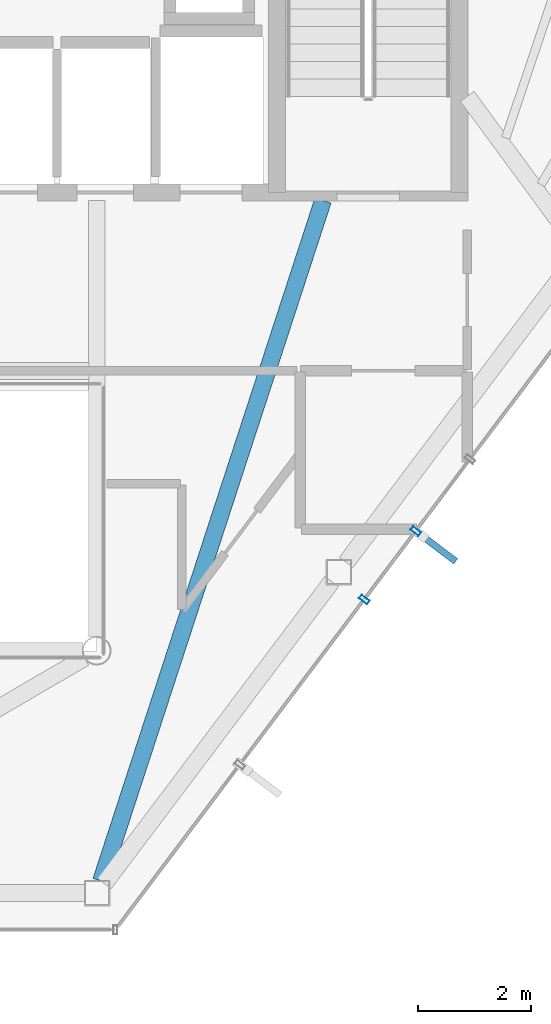
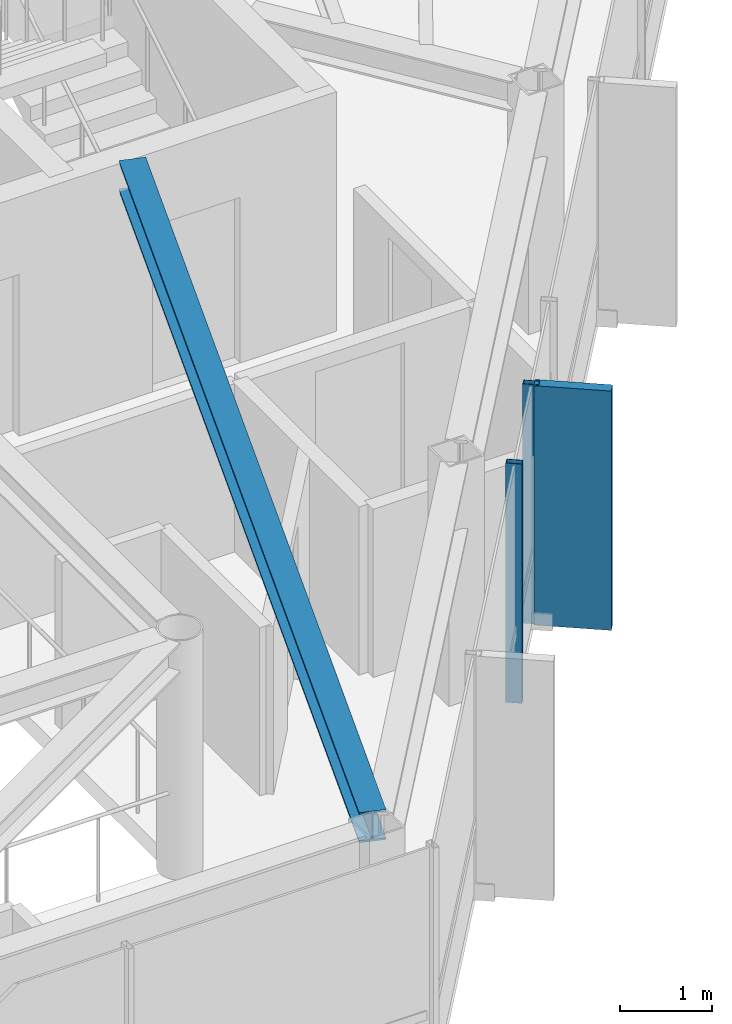
# One storey, part 8 of 22: 3 members, 1 beam, 1 element without a shape of its own.
"""IFC4 building model written with IfcOpenShell, lengths in metres."""

from ifc_helpers import new_model, si_unit, direction, frame, origin, origin_2d, place, context, subcontext, project, spatial, rectangle, hollow_rectangle, i_section, extrude, material, layer, layer_set, material_profile, profile_set, type_object, element, aggregate, save


model = new_model("IFC4")

# Units and contexts
model_context = context("Model", 3, precision=1e-05, world=origin(), true_north=direction((0.0, 1.0)))
body_context = subcontext(model_context, "Body", "Model", "MODEL_VIEW")
ifc_project = project(units=[si_unit("LENGTHUNIT", "METRE"), si_unit("AREAUNIT", "SQUARE_METRE"), si_unit("VOLUMEUNIT", "CUBIC_METRE"), si_unit("PLANEANGLEUNIT", "RADIAN"), si_unit("MASSUNIT", "GRAM", prefix="KILO")], contexts=[model_context])

# Site, building, storey
site_placement = place(None, origin())
site = spatial("IfcSite", under=ifc_project, at=site_placement, CompositionType="ELEMENT")
building_placement = place(site_placement, origin())
building = spatial("IfcBuilding", under=site, at=building_placement, Name="Zarrinselat Tower", CompositionType="ELEMENT")
storey_placement = place(building_placement, frame((0.0, 0.0, 292.39990234375)))
storey = spatial("IfcBuildingStorey", under=building, at=storey_placement, Name="L75", CompositionType="ELEMENT", Elevation=292.39990234375)

# Beam
ifc_material_1 = material(Name="Steel S355J2", Category="steel")
ifc_material_profile_1 = material_profile(ifc_material_1, i_section(OverallWidth=0.300048828125, OverallDepth=0.39990234375, WebThickness=0.013427734375, FlangeThickness=0.02392578125, at=origin_2d()), Name="HEB 400")
ifc_profile_set_1 = profile_set([ifc_material_profile_1], Name="Steel S355J2")
beam_type = type_object("IfcBeamType", Name="BM-HEB400", PredefinedType="BEAM", material=ifc_profile_set_1)
beam_placement = place(storey_placement, frame((41.8759765625, 21.1298828125, 2.97998046875), z_axis=(0.310108932854, 0.950701030695, 0.0), x_axis=(-0.950701030695, 0.310108932854, 0.0)))
element("IfcBeam", 1, at=beam_placement, inside=storey, type_object=beam_type, Name="L75 Radial Primary Girder RG11", PredefinedType="BEAM", context=body_context, shape_type="SweptSolid", body=[
    extrude(i_section(OverallWidth=0.300048828125, OverallDepth=0.39990234375, WebThickness=0.013427734375, FlangeThickness=0.02392578125, at=origin_2d()), origin(), (0.0, 0.0, 1.0), 12.65380859375),
])

# Curtain wall, members
ifc_material_2 = material(Name="Extruded Aluminium Alloy EN AW-6063 T6", Category="aluminium")
ifc_layer = layer(ifc_material_2, 0.199951171875)
ifc_layer_set = layer_set([ifc_layer], Name="Extruded Aluminium Alloy EN AW-6063 T6")
curtain_wall_type = type_object("IfcCurtainWallType", Name="CWS-BLADE", PredefinedType="NOTDEFINED", material=ifc_layer_set)
curtain_wall_placement = place(storey_placement, origin())
curtain_wall = element("IfcCurtainWall", 2, at=curtain_wall_placement, inside=storey, type_object=curtain_wall_type, Name="L75 Unitised Curtain Wall CW-L75-E05", PredefinedType="NOTDEFINED")
ifc_material_3 = material(Name="Extruded Aluminium Alloy EN AW-6063 T6", Category="aluminium")
ifc_material_profile_2 = material_profile(ifc_material_3, hollow_rectangle(XDim=0.080078125, YDim=0.179931640625, WallThickness=0.0048828125, at=origin_2d()), Name="RHS 180x80x5")
ifc_profile_set_2 = profile_set([ifc_material_profile_2], Name="Extruded Aluminium Alloy EN AW-6063 T6")
member_type_1 = type_object("IfcMemberType", Name="MEM-CW-MUL", PredefinedType="MULLION", material=ifc_profile_set_2)
member_1_placement = place(storey_placement, frame((46.529296875, 26.1044921875, 0.0), z_axis=(0.0, 0.0, 1.0), x_axis=(0.601672649155, 0.798742776655, 0.0)))
member_1 = element("IfcMember", 3, at=member_1_placement, type_object=member_type_1, Name="CW-L75-E05 Mullion 2", PredefinedType="MULLION", context=body_context, shape_type="SweptSolid", body=[
    extrude(hollow_rectangle(XDim=0.080078125, YDim=0.179931640625, WallThickness=0.0048828125, at=origin_2d()), origin(), (0.0, 0.0, 1.0), 3.18017578125),
])
member_2_placement = place(storey_placement, frame((47.440185546875, 27.31396484375, 0.0), z_axis=(0.0, 0.0, 1.0), x_axis=(0.601672649155, 0.798742776655, 0.0)))
member_2 = element("IfcMember", 4, at=member_2_placement, type_object=member_type_1, Name="CW-L75-E05 Mullion 3", PredefinedType="MULLION", context=body_context, shape_type="SweptSolid", body=[
    extrude(hollow_rectangle(XDim=0.080078125, YDim=0.179931640625, WallThickness=0.0048828125, at=origin_2d()), origin(), (0.0, 0.0, 1.0), 3.18017578125),
])
ifc_material_4 = material(Name="Honed Cream Travertine Stone", Category="masonry")
ifc_material_profile_3 = material_profile(ifc_material_4, rectangle(XDim=0.1201171875, YDim=0.85009765625, at=origin_2d()), Name="FIN 850x120")
ifc_profile_set_3 = profile_set([ifc_material_profile_3], Name="Honed Cream Travertine Stone")
member_type_2 = type_object("IfcMemberType", Name="MEM-STONE-FIN", PredefinedType="USERDEFINED", material=ifc_profile_set_3)
member_3_placement = place(storey_placement, frame((47.8076171875, 27.037109375, 0.0), z_axis=(0.0, 0.0, 1.0), x_axis=(-0.601672649155, -0.798742776655, 0.0)))
member_3 = element("IfcMember", 5, at=member_3_placement, type_object=member_type_2, Name="L75 Stone Shading Fin CW-L75-E05-03", ObjectType="FIN", PredefinedType="USERDEFINED", context=body_context, shape_type="SweptSolid", body=[
    extrude(rectangle(XDim=0.1201171875, YDim=0.85009765625, at=origin_2d()), origin(), (0.0, 0.0, 1.0), 3.18017578125),
])
aggregate(curtain_wall, [member_1, member_2, member_3])

save(model, "model.ifc")
